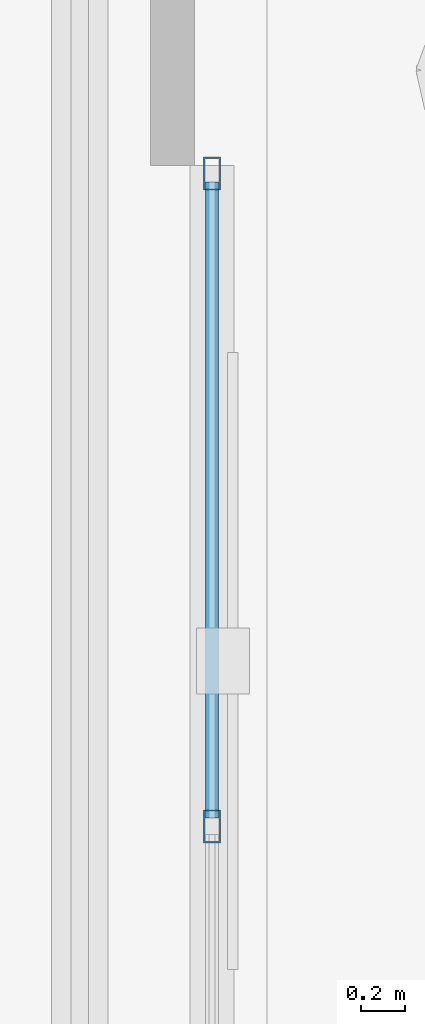
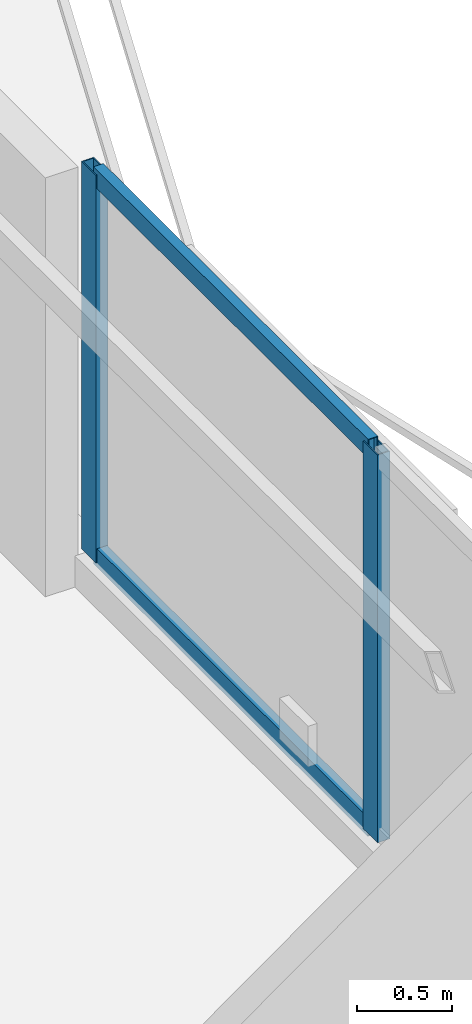
# One storey, part 13 of 22: 4 members, 1 element without a shape of its own.
"""IFC4 building model written with IfcOpenShell, lengths in metres."""

from ifc_helpers import new_model, si_unit, direction, frame, origin, origin_2d, place, context, subcontext, project, spatial, hollow_rectangle, extrude, material, layer, layer_set, material_profile, profile_set, type_object, element, aggregate, save


model = new_model("IFC4")

# Units and contexts
model_context = context("Model", 3, precision=1e-05, world=origin(), true_north=direction((0.0, 1.0)))
body_context = subcontext(model_context, "Body", "Model", "MODEL_VIEW")
ifc_project = project(units=[si_unit("LENGTHUNIT", "METRE"), si_unit("AREAUNIT", "SQUARE_METRE"), si_unit("VOLUMEUNIT", "CUBIC_METRE"), si_unit("PLANEANGLEUNIT", "RADIAN"), si_unit("MASSUNIT", "GRAM", prefix="KILO")], contexts=[model_context])

# Site, building, storey
site_placement = place(None, origin())
site = spatial("IfcSite", under=ifc_project, at=site_placement, CompositionType="ELEMENT")
building_placement = place(site_placement, origin())
building = spatial("IfcBuilding", under=site, at=building_placement, Name="Mersakhor Tower and Convention Hall", CompositionType="ELEMENT")
storey_placement = place(building_placement, frame((0.0, 0.0, 195.300048828125)))
storey = spatial("IfcBuildingStorey", under=building, at=storey_placement, Name="L54", CompositionType="ELEMENT", Elevation=195.300048828125)

# Curtain wall, members
ifc_material_1 = material(Name="Dark solar low-E aluminium curtain wall", Category="aluminium")
ifc_layer = layer(ifc_material_1, 0.169921875)
ifc_layer_set = layer_set([ifc_layer], Name="Dark solar low-E aluminium curtain wall")
curtain_wall_type = type_object("IfcCurtainWallType", Name="CW-SYS-02", PredefinedType="USERDEFINED", material=ifc_layer_set)
curtain_wall_placement = place(storey_placement, origin())
curtain_wall = element("IfcCurtainWall", 1, at=curtain_wall_placement, inside=storey, type_object=curtain_wall_type, Name="L54 Dark-Glass Curtain Wall F2-B2", ObjectType="CURTAIN WALL", PredefinedType="USERDEFINED")
ifc_material_2 = material(Name="Anodised aluminium EN AW-6063 T6", Category="aluminium")
ifc_material_profile_1 = material_profile(ifc_material_2, hollow_rectangle(XDim=0.074951171875, YDim=0.14990234375, WallThickness=0.00634765625, at=origin_2d()), Name="RHS 150x75x6.3")
ifc_profile_set_1 = profile_set([ifc_material_profile_1], Name="Anodised aluminium EN AW-6063 T6")
member_type_1 = type_object("IfcMemberType", Name="CWM-150x75", PredefinedType="MULLION", material=ifc_profile_set_1)
member_1_placement = place(storey_placement, frame((40.58837890625, 31.2119140625, 0.199951171875), z_axis=(0.0, 0.0, 1.0), x_axis=(1.0, 0.0, 0.0)))
member_1 = element("IfcMember", 2, at=member_1_placement, type_object=member_type_1, Name="CW-02 mullion 1", PredefinedType="MULLION", context=body_context, shape_type="SweptSolid", body=[
    extrude(hollow_rectangle(XDim=0.074951171875, YDim=0.14990234375, WallThickness=0.00634765625, at=origin_2d()), origin(), (0.0, 0.0, 1.0), 2.489990234375),
])
member_2_placement = place(storey_placement, frame((40.58837890625, 28.249755859375, 0.199951171875), z_axis=(0.0, 0.0, 1.0), x_axis=(1.0, 0.0, 0.0)))
member_2 = element("IfcMember", 3, at=member_2_placement, type_object=member_type_1, Name="CW-02 mullion 2", PredefinedType="MULLION", context=body_context, shape_type="SweptSolid", body=[
    extrude(hollow_rectangle(XDim=0.074951171875, YDim=0.14990234375, WallThickness=0.00634765625, at=origin_2d()), origin(), (0.0, 0.0, 1.0), 2.489990234375),
])
ifc_material_3 = material(Name="Anodised aluminium EN AW-6063 T6", Category="aluminium")
ifc_material_profile_2 = material_profile(ifc_material_3, hollow_rectangle(XDim=0.06005859375, YDim=0.1201171875, WallThickness=0.0048828125, at=origin_2d()), Name="RHS 120x60x5")
ifc_profile_set_2 = profile_set([ifc_material_profile_2], Name="Anodised aluminium EN AW-6063 T6")
member_type_2 = type_object("IfcMemberType", Name="CWT-120x60", PredefinedType="USERDEFINED", material=ifc_profile_set_2)
member_3_placement = place(storey_placement, frame((40.58837890625, 31.174560546875, 0.22998046875), z_axis=(0.0, -1.0, 0.0), x_axis=(1.0, 0.0, 0.0)))
member_3 = element("IfcMember", 4, at=member_3_placement, type_object=member_type_2, Name="CW-02 transom 1.1", ObjectType="TRANSOM", PredefinedType="USERDEFINED", context=body_context, shape_type="SweptSolid", body=[
    extrude(hollow_rectangle(XDim=0.06005859375, YDim=0.1201171875, WallThickness=0.0048828125, at=origin_2d()), origin(), (0.0, 0.0, 1.0), 2.88720703125),
])
member_4_placement = place(storey_placement, frame((40.58837890625, 31.174560546875, 2.659912109375), z_axis=(0.0, -1.0, 0.0), x_axis=(1.0, 0.0, 0.0)))
member_4 = element("IfcMember", 5, at=member_4_placement, type_object=member_type_2, Name="CW-02 transom 1.2", ObjectType="TRANSOM", PredefinedType="USERDEFINED", context=body_context, shape_type="SweptSolid", body=[
    extrude(hollow_rectangle(XDim=0.06005859375, YDim=0.1201171875, WallThickness=0.0048828125, at=origin_2d()), origin(), (0.0, 0.0, 1.0), 2.88720703125),
])
aggregate(curtain_wall, [member_1, member_2, member_3, member_4])

save(model, "model.ifc")
